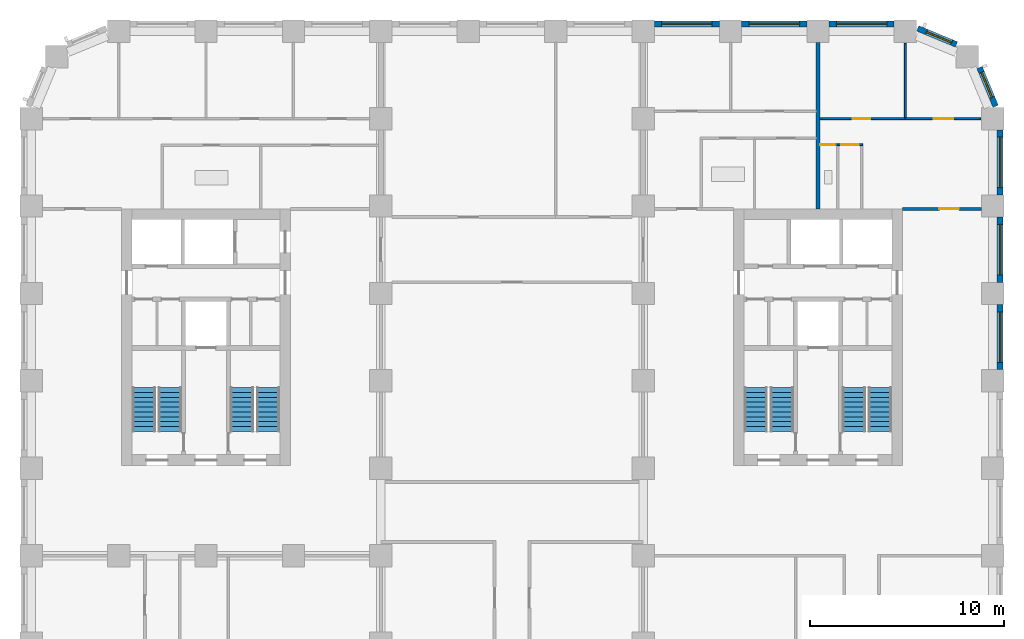
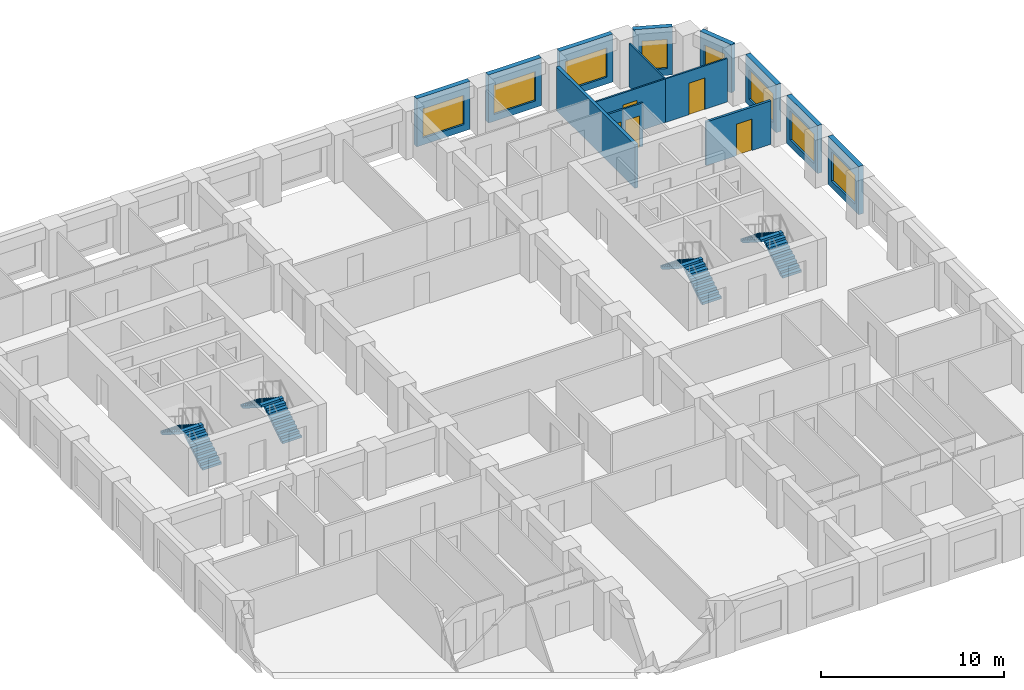
# One storey, part 9 of 12: 15 walls, 8 stair flights, 8 windows, 5 doors, 13 openings, 4 elements without a shape of their own.
"""IFC4 building model written with IfcOpenShell, lengths in metres."""

from ifc_helpers import new_model, si_unit, direction, frame, frame_2d, origin, place, context, subcontext, project, spatial, polyline, rectangle, outline, extrude, material, layer, layer_set, type_object, element, fill, aggregate, save


model = new_model("IFC4")

# Units and contexts
model_context = context("Model", 3, precision=1e-05, world=origin(), true_north=direction((0.0, 1.0)))
body_context = subcontext(model_context, "Body", "Model", "MODEL_VIEW")
ifc_project = project(units=[si_unit("LENGTHUNIT", "METRE"), si_unit("AREAUNIT", "SQUARE_METRE"), si_unit("VOLUMEUNIT", "CUBIC_METRE"), si_unit("PLANEANGLEUNIT", "RADIAN"), si_unit("MASSUNIT", "GRAM", prefix="KILO")], contexts=[model_context])

# Site, building, storey
site_placement = place(None, origin())
site = spatial("IfcSite", under=ifc_project, at=site_placement, CompositionType="ELEMENT")
building_placement = place(site_placement, origin())
building = spatial("IfcBuilding", under=site, at=building_placement, Name="Girih Gate Residences", CompositionType="ELEMENT")
storey_placement = place(building_placement, frame((0.0, 0.0, 112.0)))
storey = spatial("IfcBuildingStorey", under=building, at=storey_placement, Name="L31", CompositionType="ELEMENT", Elevation=112.0)

# Wall, opening, door
ifc_material_1 = material(Name="Gypsum board on steel studs", Category="steel")
ifc_layer_1 = layer(ifc_material_1, 0.14990234375)
ifc_layer_set_1 = layer_set([ifc_layer_1], Name="Compartment wall 150 mm")
wall_type_1 = type_object("IfcWallType", Name="Compartment wall 150 mm", PredefinedType="PARTITIONING", material=ifc_layer_set_1)
wall_1_placement = place(storey_placement, frame((44.85009765625, 40.35009765625, 0.0), z_axis=(0.0, 0.0, 1.0), x_axis=(1.0, 0.0, 0.0)))
wall_1 = element("IfcWall", 1, at=wall_1_placement, inside=storey, type_object=wall_type_1, Name="L31 partition", PredefinedType="PARTITIONING", context=body_context, shape_type="SweptSolid", body=[
    extrude(rectangle(XDim=4.074951171875, YDim=0.14990234375, at=frame_2d((2.03759765625, 0.0))), origin(), (0.0, 0.0, 1.0), 2.89990234375),
])
opening_1_placement = place(wall_1_placement, frame((1.89990234375, 0.0, 0.0)))
opening_1 = element("IfcOpeningElement", 2, at=opening_1_placement, cuts=wall_1, Name="Opening A31-033", PredefinedType="OPENING", context=body_context, shape_type="SweptSolid", body=[
    extrude(rectangle(XDim=1.0, YDim=2.10009765625, at=frame_2d((0.5, 1.050048828125))), frame((0.0, 0.0849609375, 0.0), z_axis=(0.0, -1.0, 0.0), x_axis=(1.0, 0.0, 0.0)), (0.0, 0.0, 1.0), 0.169921875),
])
ifc_material_2 = material(Name="Timber, fire-rated core", Category="wood")
door_type_1 = type_object("IfcDoorType", Name="Flat entrance door 1000x2100 FD30S", OperationType="NOTDEFINED", PredefinedType="DOOR", material=ifc_material_2)
door_1_placement = place(opening_1_placement, origin())
door_1 = element("IfcDoor", 3, at=door_1_placement, inside=storey, type_object=door_type_1, Name="Door A31-033", OperationType="SINGLE_SWING_RIGHT", OverallHeight=2.10009765625, OverallWidth=1.0, PredefinedType="DOOR", context=body_context, shape_type="SweptSolid", body=[
    extrude(rectangle(XDim=1.0, YDim=2.10009765625, at=frame_2d((0.5, 1.050048828125))), frame((0.0, 0.02490234375, 0.0), z_axis=(0.0, -1.0, 0.0), x_axis=(1.0, 0.0, 0.0)), (0.0, 0.0, 1.0), 0.050048828125),
])
fill(opening_1, door_1)

ifc_layer_2 = layer(ifc_material_1, 0.10009765625)
ifc_layer_set_2 = layer_set([ifc_layer_2], Name="Partition 100 mm")
wall_type_2 = type_object("IfcWallType", Name="Partition 100 mm", PredefinedType="PARTITIONING", material=ifc_layer_set_2)
wall_2_placement = place(storey_placement, frame((40.60009765625, 45.0, 0.0), z_axis=(0.0, 0.0, 1.0), x_axis=(1.0, 0.0, 0.0)))
wall_2 = element("IfcWall", 4, at=wall_2_placement, inside=storey, type_object=wall_type_2, Name="L31 partition", PredefinedType="PARTITIONING", context=body_context, shape_type="SweptSolid", body=[
    extrude(rectangle(XDim=4.39990234375, YDim=0.10009765625, at=frame_2d((2.199951171875, 0.0))), origin(), (0.0, 0.0, 1.0), 2.89990234375),
])
opening_2_placement = place(wall_2_placement, frame((1.699951171875, 0.0, 0.0)))
opening_2 = element("IfcOpeningElement", 5, at=opening_2_placement, cuts=wall_2, Name="Opening A31-030", PredefinedType="OPENING", context=body_context, shape_type="SweptSolid", body=[
    extrude(rectangle(XDim=0.89990234375, YDim=2.10009765625, at=frame_2d((0.449951171875, 1.050048828125))), frame((0.0, 0.06005859375, 0.0), z_axis=(0.0, -1.0, 0.0), x_axis=(1.0, 0.0, 0.0)), (0.0, 0.0, 1.0), 0.1201171875),
])
ifc_material_3 = material(Name="Timber", Category="wood")
door_type_2 = type_object("IfcDoorType", Name="Bedroom door 900x2100", OperationType="NOTDEFINED", PredefinedType="DOOR", material=ifc_material_3)
door_2_placement = place(opening_2_placement, origin())
door_2 = element("IfcDoor", 6, at=door_2_placement, inside=storey, type_object=door_type_2, Name="Door A31-030", OperationType="SINGLE_SWING_LEFT", OverallHeight=2.10009765625, OverallWidth=0.89990234375, PredefinedType="DOOR", context=body_context, shape_type="SweptSolid", body=[
    extrude(rectangle(XDim=0.89990234375, YDim=2.10009765625, at=frame_2d((0.449951171875, 1.050048828125))), frame((0.0, 0.02490234375, 0.0), z_axis=(0.0, -1.0, 0.0), x_axis=(1.0, 0.0, 0.0)), (0.0, 0.0, 1.0), 0.050048828125),
])
fill(opening_2, door_2)

# Wall
wall_3_placement = place(storey_placement, frame((45.0, 45.050048828125, 0.0), z_axis=(0.0, 0.0, 1.0), x_axis=(0.0, 1.0, 0.0)))
element("IfcWall", 7, at=wall_3_placement, inside=storey, type_object=wall_type_2, Name="L31 partition", PredefinedType="PARTITIONING", context=body_context, shape_type="SweptSolid", body=[
    extrude(rectangle(XDim=3.82763671875, YDim=0.10009765625, at=frame_2d((1.913818359375, 0.0))), origin(), (0.0, 0.0, 1.0), 2.89990234375),
])

# Wall, opening, door
wall_4_placement = place(storey_placement, frame((42.800048828125, 43.659912109375, 0.0), z_axis=(0.0, 0.0, 1.0), x_axis=(-1.0, 0.0, 0.0)))
wall_4 = element("IfcWall", 8, at=wall_4_placement, inside=storey, type_object=wall_type_2, Name="L31 partition", PredefinedType="PARTITIONING", context=body_context, shape_type="SweptSolid", body=[
    extrude(rectangle(XDim=1.27734375, YDim=0.10009765625, at=frame_2d((0.638671875, 0.0))), origin(), (0.0, 0.0, 1.0), 2.89990234375),
])
opening_3_placement = place(wall_4_placement, frame((0.213623046875, 0.0, 0.0)))
opening_3 = element("IfcOpeningElement", 9, at=opening_3_placement, cuts=wall_4, Name="Opening A31-031", PredefinedType="OPENING", context=body_context, shape_type="SweptSolid", body=[
    extrude(rectangle(XDim=0.89990234375, YDim=2.10009765625, at=frame_2d((0.449951171875, 1.050048828125))), frame((0.0, 0.06005859375, 0.0), z_axis=(0.0, -1.0, 0.0), x_axis=(1.0, 0.0, 0.0)), (0.0, 0.0, 1.0), 0.1201171875),
])
door_type_3 = type_object("IfcDoorType", Name="Kitchen door 900x2100", OperationType="NOTDEFINED", PredefinedType="DOOR", material=ifc_material_3)
door_3_placement = place(opening_3_placement, origin())
door_3 = element("IfcDoor", 10, at=door_3_placement, inside=storey, type_object=door_type_3, Name="Door A31-031", OperationType="SINGLE_SWING_RIGHT", OverallHeight=2.10009765625, OverallWidth=0.89990234375, PredefinedType="DOOR", context=body_context, shape_type="SweptSolid", body=[
    extrude(rectangle(XDim=0.89990234375, YDim=2.10009765625, at=frame_2d((0.449951171875, 1.050048828125))), frame((0.0, 0.02490234375, 0.0), z_axis=(0.0, -1.0, 0.0), x_axis=(1.0, 0.0, 0.0)), (0.0, 0.0, 1.0), 0.050048828125),
])
fill(opening_3, door_3)

wall_5_placement = place(storey_placement, frame((45.0, 45.0, 0.0), z_axis=(0.0, 0.0, 1.0), x_axis=(1.0, 0.0, 0.0)))
wall_5 = element("IfcWall", 11, at=wall_5_placement, inside=storey, type_object=wall_type_2, Name="L31 partition", PredefinedType="PARTITIONING", context=body_context, shape_type="SweptSolid", body=[
    extrude(rectangle(XDim=3.877685546875, YDim=0.10009765625, at=frame_2d((1.93896484375, 0.0))), origin(), (0.0, 0.0, 1.0), 2.89990234375),
])
opening_4_placement = place(wall_5_placement, frame((1.46240234375, 0.0, 0.0)))
opening_4 = element("IfcOpeningElement", 12, at=opening_4_placement, cuts=wall_5, Name="Opening A31-032", PredefinedType="OPENING", context=body_context, shape_type="SweptSolid", body=[
    extrude(rectangle(XDim=1.0, YDim=2.10009765625, at=frame_2d((0.5, 1.050048828125))), frame((0.0, 0.06005859375, 0.0), z_axis=(0.0, -1.0, 0.0), x_axis=(1.0, 0.0, 0.0)), (0.0, 0.0, 1.0), 0.1201171875),
])
door_type_4 = type_object("IfcDoorType", Name="Living room door 1000x2100", OperationType="NOTDEFINED", PredefinedType="DOOR", material=ifc_material_3)
door_4_placement = place(opening_4_placement, origin())
door_4 = element("IfcDoor", 13, at=door_4_placement, inside=storey, type_object=door_type_4, Name="Door A31-032", OperationType="SINGLE_SWING_RIGHT", OverallHeight=2.10009765625, OverallWidth=1.0, PredefinedType="DOOR", context=body_context, shape_type="SweptSolid", body=[
    extrude(rectangle(XDim=1.0, YDim=2.10009765625, at=frame_2d((0.5, 1.050048828125))), frame((0.0, 0.02490234375, 0.0), z_axis=(0.0, -1.0, 0.0), x_axis=(1.0, 0.0, 0.0)), (0.0, 0.0, 1.0), 0.050048828125),
])
fill(opening_4, door_4)

# Wall
ifc_layer_3 = layer(ifc_material_1, 0.199951171875)
ifc_layer_set_3 = layer_set([ifc_layer_3], Name="Party wall 200 mm")
wall_type_3 = type_object("IfcWallType", Name="Party wall 200 mm", PredefinedType="PARTITIONING", material=ifc_layer_set_3)
wall_6_placement = place(storey_placement, frame((40.5, 40.35009765625, 0.0), z_axis=(0.0, 0.0, 1.0), x_axis=(0.0, 1.0, 0.0)))
element("IfcWall", 14, at=wall_6_placement, inside=storey, type_object=wall_type_3, Name="L31 partition", PredefinedType="PARTITIONING", context=body_context, shape_type="SweptSolid", body=[
    extrude(rectangle(XDim=8.574951171875, YDim=0.199951171875, at=frame_2d((4.28759765625, 0.0))), origin(), (0.0, 0.0, 1.0), 2.89990234375),
])

# Wall, opening, window
ifc_material_4 = material(Name="Precast concrete C50/60", Category="concrete")
ifc_layer_4 = layer(ifc_material_4, 0.080078125, Name="Outer leaf")
ifc_material_5 = material(Name="Rigid PIR insulation")
ifc_layer_5 = layer(ifc_material_5, 0.14990234375, Name="Insulation")
ifc_material_6 = material(Name="Precast concrete C40/50", Category="concrete")
ifc_layer_6 = layer(ifc_material_6, 0.070068359375, Name="Inner leaf")
ifc_layer_set_4 = layer_set([ifc_layer_4, ifc_layer_5, ifc_layer_6], Name="Precast concrete C50/60 external wall 300")
wall_type_4 = type_object("IfcWallType", Name="Precast concrete C50/60 external wall 300", PredefinedType="SOLIDWALL", material=ifc_layer_set_4)
wall_7_placement = place(storey_placement, frame((49.875, 35.425048828125, 0.0), z_axis=(0.0, 0.0, 1.0), x_axis=(0.0, -1.0, 0.0)))
wall_7 = element("IfcWall", 15, at=wall_7_placement, inside=storey, type_object=wall_type_4, Name="External wall E0495_0045.6", PredefinedType="SOLIDWALL", context=body_context, shape_type="SweptSolid", body=[
    extrude(rectangle(XDim=3.35009765625, YDim=0.300048828125, at=frame_2d((1.675048828125, 0.0))), origin(), (0.0, 0.0, 1.0), 3.199951171875),
])
opening_5_placement = place(wall_7_placement, frame((0.375, 0.0, 0.449951171875)))
opening_5 = element("IfcOpeningElement", 16, at=opening_5_placement, cuts=wall_7, Name="Opening W-1A", PredefinedType="OPENING", context=body_context, shape_type="SweptSolid", body=[
    extrude(rectangle(XDim=2.60009765625, YDim=1.949951171875, at=frame_2d((1.300048828125, 0.97509765625))), frame((0.0, 0.159912109375, 0.0), z_axis=(0.0, -1.0, 0.0), x_axis=(1.0, 0.0, 0.0)), (0.0, 0.0, 1.0), 0.320068359375),
])
ifc_material_7 = material(Name="Double glazing in aluminium frame", Category="aluminium")
window_type_1 = type_object("IfcWindowType", Name="Window W-1A 2600x1950", PartitioningType="SINGLE_PANEL", PredefinedType="WINDOW", material=ifc_material_7)
window_1_placement = place(opening_5_placement, origin())
window_1 = element("IfcWindow", 17, at=window_1_placement, inside=storey, type_object=window_type_1, Name="Window W-1A E0495_0045.6", OverallHeight=1.949951171875, OverallWidth=2.60009765625, PartitioningType="SINGLE_PANEL", PredefinedType="WINDOW", context=body_context, shape_type="SweptSolid", body=[
    extrude(rectangle(XDim=2.60009765625, YDim=1.949951171875, at=frame_2d((1.300048828125, 0.97509765625))), frame((0.0, 0.030029296875, 0.0), z_axis=(0.0, -1.0, 0.0), x_axis=(1.0, 0.0, 0.0)), (0.0, 0.0, 1.0), 0.06005859375),
])
fill(opening_5, window_1)

wall_8_placement = place(storey_placement, frame((49.875, 39.925048828125, 0.0), z_axis=(0.0, 0.0, 1.0), x_axis=(0.0, -1.0, 0.0)))
wall_8 = element("IfcWall", 18, at=wall_8_placement, inside=storey, type_object=wall_type_4, Name="External wall E0495_0045.7", PredefinedType="SOLIDWALL", context=body_context, shape_type="SweptSolid", body=[
    extrude(rectangle(XDim=3.35009765625, YDim=0.300048828125, at=frame_2d((1.675048828125, 0.0))), origin(), (0.0, 0.0, 1.0), 3.199951171875),
])
opening_6_placement = place(wall_8_placement, frame((0.375, 0.0, 0.449951171875)))
opening_6 = element("IfcOpeningElement", 19, at=opening_6_placement, cuts=wall_8, Name="Opening W-1A", PredefinedType="OPENING", context=body_context, shape_type="SweptSolid", body=[
    extrude(rectangle(XDim=2.60009765625, YDim=1.949951171875, at=frame_2d((1.300048828125, 0.97509765625))), frame((0.0, 0.159912109375, 0.0), z_axis=(0.0, -1.0, 0.0), x_axis=(1.0, 0.0, 0.0)), (0.0, 0.0, 1.0), 0.320068359375),
])
window_2_placement = place(opening_6_placement, origin())
window_2 = element("IfcWindow", 20, at=window_2_placement, inside=storey, type_object=window_type_1, Name="Window W-1A E0495_0045.7", OverallHeight=1.949951171875, OverallWidth=2.60009765625, PartitioningType="SINGLE_PANEL", PredefinedType="WINDOW", context=body_context, shape_type="SweptSolid", body=[
    extrude(rectangle(XDim=2.60009765625, YDim=1.949951171875, at=frame_2d((1.300048828125, 0.97509765625))), frame((0.0, 0.030029296875, 0.0), z_axis=(0.0, -1.0, 0.0), x_axis=(1.0, 0.0, 0.0)), (0.0, 0.0, 1.0), 0.06005859375),
])
fill(opening_6, window_2)

wall_9_placement = place(storey_placement, frame((49.875, 44.425048828125, 0.0), z_axis=(0.0, 0.0, 1.0), x_axis=(0.0, -1.0, 0.0)))
wall_9 = element("IfcWall", 21, at=wall_9_placement, inside=storey, type_object=wall_type_4, Name="External wall E0495_0045.8", PredefinedType="SOLIDWALL", context=body_context, shape_type="SweptSolid", body=[
    extrude(rectangle(XDim=3.35009765625, YDim=0.300048828125, at=frame_2d((1.675048828125, 0.0))), origin(), (0.0, 0.0, 1.0), 3.199951171875),
])
opening_7_placement = place(wall_9_placement, frame((0.375, 0.0, 0.449951171875)))
opening_7 = element("IfcOpeningElement", 22, at=opening_7_placement, cuts=wall_9, Name="Opening W-1A", PredefinedType="OPENING", context=body_context, shape_type="SweptSolid", body=[
    extrude(rectangle(XDim=2.60009765625, YDim=1.949951171875, at=frame_2d((1.300048828125, 0.97509765625))), frame((0.0, 0.159912109375, 0.0), z_axis=(0.0, -1.0, 0.0), x_axis=(1.0, 0.0, 0.0)), (0.0, 0.0, 1.0), 0.320068359375),
])
window_3_placement = place(opening_7_placement, origin())
window_3 = element("IfcWindow", 23, at=window_3_placement, inside=storey, type_object=window_type_1, Name="Window W-1A E0495_0045.8", OverallHeight=1.949951171875, OverallWidth=2.60009765625, PartitioningType="SINGLE_PANEL", PredefinedType="WINDOW", context=body_context, shape_type="SweptSolid", body=[
    extrude(rectangle(XDim=2.60009765625, YDim=1.949951171875, at=frame_2d((1.300048828125, 0.97509765625))), frame((0.0, 0.030029296875, 0.0), z_axis=(0.0, -1.0, 0.0), x_axis=(1.0, 0.0, 0.0)), (0.0, 0.0, 1.0), 0.06005859375),
])
fill(opening_7, window_3)

wall_10_placement = place(storey_placement, frame((48.81591796875, 47.63134765625, 0.0), z_axis=(0.0, 0.0, 1.0), x_axis=(0.382723818695, -0.923862802911, 0.0)))
wall_10 = element("IfcWall", 24, at=wall_10_placement, inside=storey, type_object=wall_type_4, Name="External wall NE0495_0450.0", PredefinedType="SOLIDWALL", context=body_context, shape_type="SweptSolid", body=[
    extrude(rectangle(XDim=2.163818359375, YDim=0.300048828125, at=frame_2d((1.08203125, 0.0))), origin(), (0.0, 0.0, 1.0), 3.199951171875),
])
opening_8_placement = place(wall_10_placement, frame((0.270751953125, 0.0, 0.449951171875)))
opening_8 = element("IfcOpeningElement", 25, at=opening_8_placement, cuts=wall_10, Name="Opening W-2D", PredefinedType="OPENING", context=body_context, shape_type="SweptSolid", body=[
    extrude(rectangle(XDim=1.39990234375, YDim=1.949951171875, at=frame_2d((0.699951171875, 0.97509765625))), frame((0.0, 0.159912109375, 0.0), z_axis=(0.0, -1.0, 0.0), x_axis=(1.0, 0.0, 0.0)), (0.0, 0.0, 1.0), 0.320068359375),
])
window_type_2 = type_object("IfcWindowType", Name="Window W-2D 1400x1950", PartitioningType="SINGLE_PANEL", PredefinedType="WINDOW", material=ifc_material_7)
window_4_placement = place(opening_8_placement, origin())
window_4 = element("IfcWindow", 26, at=window_4_placement, inside=storey, type_object=window_type_2, Name="Window W-2D NE0495_0450.0", OverallHeight=1.949951171875, OverallWidth=1.39990234375, PartitioningType="SINGLE_PANEL", PredefinedType="WINDOW", context=body_context, shape_type="SweptSolid", body=[
    extrude(rectangle(XDim=1.39990234375, YDim=1.949951171875, at=frame_2d((0.699951171875, 0.97509765625))), frame((0.0, 0.030029296875, 0.0), z_axis=(0.0, -1.0, 0.0), x_axis=(1.0, 0.0, 0.0)), (0.0, 0.0, 1.0), 0.06005859375),
])
fill(opening_8, window_4)

wall_11_placement = place(storey_placement, frame((45.63232421875, 49.64404296875, 0.0), z_axis=(0.0, 0.0, 1.0), x_axis=(0.923862802911, -0.382723818695, 0.0)))
wall_11 = element("IfcWall", 27, at=wall_11_placement, inside=storey, type_object=wall_type_4, Name="External wall NE0482_0482.0", PredefinedType="SOLIDWALL", context=body_context, shape_type="SweptSolid", body=[
    extrude(rectangle(XDim=2.163818359375, YDim=0.300048828125, at=frame_2d((1.08203125, 0.0))), origin(), (0.0, 0.0, 1.0), 3.199951171875),
])
opening_9_placement = place(wall_11_placement, frame((0.492919921875, 0.0, 0.449951171875)))
opening_9 = element("IfcOpeningElement", 28, at=opening_9_placement, cuts=wall_11, Name="Opening W-2D", PredefinedType="OPENING", context=body_context, shape_type="SweptSolid", body=[
    extrude(rectangle(XDim=1.39990234375, YDim=1.949951171875, at=frame_2d((0.699951171875, 0.97509765625))), frame((0.0, 0.159912109375, 0.0), z_axis=(0.0, -1.0, 0.0), x_axis=(1.0, 0.0, 0.0)), (0.0, 0.0, 1.0), 0.320068359375),
])
window_5_placement = place(opening_9_placement, origin())
window_5 = element("IfcWindow", 29, at=window_5_placement, inside=storey, type_object=window_type_2, Name="Window W-2D NE0482_0482.0", OverallHeight=1.949951171875, OverallWidth=1.39990234375, PartitioningType="SINGLE_PANEL", PredefinedType="WINDOW", context=body_context, shape_type="SweptSolid", body=[
    extrude(rectangle(XDim=1.39990234375, YDim=1.949951171875, at=frame_2d((0.699951171875, 0.97509765625))), frame((0.0, 0.030029296875, 0.0), z_axis=(0.0, -1.0, 0.0), x_axis=(1.0, 0.0, 0.0)), (0.0, 0.0, 1.0), 0.06005859375),
])
fill(opening_9, window_5)

wall_12_placement = place(storey_placement, frame((41.074951171875, 49.875, 0.0), z_axis=(0.0, 0.0, 1.0), x_axis=(1.0, 0.0, 0.0)))
wall_12 = element("IfcWall", 30, at=wall_12_placement, inside=storey, type_object=wall_type_4, Name="External wall N0450_0495.0", PredefinedType="SOLIDWALL", context=body_context, shape_type="SweptSolid", body=[
    extrude(rectangle(XDim=3.35009765625, YDim=0.300048828125, at=frame_2d((1.675048828125, 0.0))), origin(), (0.0, 0.0, 1.0), 3.199951171875),
])
opening_10_placement = place(wall_12_placement, frame((0.375, 0.0, 0.449951171875)))
opening_10 = element("IfcOpeningElement", 31, at=opening_10_placement, cuts=wall_12, Name="Opening W-1A", PredefinedType="OPENING", context=body_context, shape_type="SweptSolid", body=[
    extrude(rectangle(XDim=2.60009765625, YDim=1.949951171875, at=frame_2d((1.300048828125, 0.97509765625))), frame((0.0, 0.159912109375, 0.0), z_axis=(0.0, -1.0, 0.0), x_axis=(1.0, 0.0, 0.0)), (0.0, 0.0, 1.0), 0.320068359375),
])
window_6_placement = place(opening_10_placement, origin())
window_6 = element("IfcWindow", 32, at=window_6_placement, inside=storey, type_object=window_type_1, Name="Window W-1A N0450_0495.0", OverallHeight=1.949951171875, OverallWidth=2.60009765625, PartitioningType="SINGLE_PANEL", PredefinedType="WINDOW", context=body_context, shape_type="SweptSolid", body=[
    extrude(rectangle(XDim=2.60009765625, YDim=1.949951171875, at=frame_2d((1.300048828125, 0.97509765625))), frame((0.0, 0.030029296875, 0.0), z_axis=(0.0, -1.0, 0.0), x_axis=(1.0, 0.0, 0.0)), (0.0, 0.0, 1.0), 0.06005859375),
])
fill(opening_10, window_6)

wall_13_placement = place(storey_placement, frame((36.574951171875, 49.875, 0.0), z_axis=(0.0, 0.0, 1.0), x_axis=(1.0, 0.0, 0.0)))
wall_13 = element("IfcWall", 33, at=wall_13_placement, inside=storey, type_object=wall_type_4, Name="External wall N0450_0495.1", PredefinedType="SOLIDWALL", context=body_context, shape_type="SweptSolid", body=[
    extrude(rectangle(XDim=3.35009765625, YDim=0.300048828125, at=frame_2d((1.675048828125, 0.0))), origin(), (0.0, 0.0, 1.0), 3.199951171875),
])
opening_11_placement = place(wall_13_placement, frame((0.375, 0.0, 0.449951171875)))
opening_11 = element("IfcOpeningElement", 34, at=opening_11_placement, cuts=wall_13, Name="Opening W-1A", PredefinedType="OPENING", context=body_context, shape_type="SweptSolid", body=[
    extrude(rectangle(XDim=2.60009765625, YDim=1.949951171875, at=frame_2d((1.300048828125, 0.97509765625))), frame((0.0, 0.159912109375, 0.0), z_axis=(0.0, -1.0, 0.0), x_axis=(1.0, 0.0, 0.0)), (0.0, 0.0, 1.0), 0.320068359375),
])
window_7_placement = place(opening_11_placement, origin())
window_7 = element("IfcWindow", 35, at=window_7_placement, inside=storey, type_object=window_type_1, Name="Window W-1A N0450_0495.1", OverallHeight=1.949951171875, OverallWidth=2.60009765625, PartitioningType="SINGLE_PANEL", PredefinedType="WINDOW", context=body_context, shape_type="SweptSolid", body=[
    extrude(rectangle(XDim=2.60009765625, YDim=1.949951171875, at=frame_2d((1.300048828125, 0.97509765625))), frame((0.0, 0.030029296875, 0.0), z_axis=(0.0, -1.0, 0.0), x_axis=(1.0, 0.0, 0.0)), (0.0, 0.0, 1.0), 0.06005859375),
])
fill(opening_11, window_7)

wall_14_placement = place(storey_placement, frame((32.074951171875, 49.875, 0.0), z_axis=(0.0, 0.0, 1.0), x_axis=(1.0, 0.0, 0.0)))
wall_14 = element("IfcWall", 36, at=wall_14_placement, inside=storey, type_object=wall_type_4, Name="External wall N0450_0495.2", PredefinedType="SOLIDWALL", context=body_context, shape_type="SweptSolid", body=[
    extrude(rectangle(XDim=3.35009765625, YDim=0.300048828125, at=frame_2d((1.675048828125, 0.0))), origin(), (0.0, 0.0, 1.0), 3.199951171875),
])
opening_12_placement = place(wall_14_placement, frame((0.375, 0.0, 0.449951171875)))
opening_12 = element("IfcOpeningElement", 37, at=opening_12_placement, cuts=wall_14, Name="Opening W-1A", PredefinedType="OPENING", context=body_context, shape_type="SweptSolid", body=[
    extrude(rectangle(XDim=2.60009765625, YDim=1.949951171875, at=frame_2d((1.300048828125, 0.97509765625))), frame((0.0, 0.159912109375, 0.0), z_axis=(0.0, -1.0, 0.0), x_axis=(1.0, 0.0, 0.0)), (0.0, 0.0, 1.0), 0.320068359375),
])
window_8_placement = place(opening_12_placement, origin())
window_8 = element("IfcWindow", 38, at=window_8_placement, inside=storey, type_object=window_type_1, Name="Window W-1A N0450_0495.2", OverallHeight=1.949951171875, OverallWidth=2.60009765625, PartitioningType="SINGLE_PANEL", PredefinedType="WINDOW", context=body_context, shape_type="SweptSolid", body=[
    extrude(rectangle(XDim=2.60009765625, YDim=1.949951171875, at=frame_2d((1.300048828125, 0.97509765625))), frame((0.0, 0.030029296875, 0.0), z_axis=(0.0, -1.0, 0.0), x_axis=(1.0, 0.0, 0.0)), (0.0, 0.0, 1.0), 0.06005859375),
])
fill(opening_12, window_8)

# Wall, opening, door
ifc_layer_7 = layer(ifc_material_1, 0.125)
ifc_layer_set_5 = layer_set([ifc_layer_7], Name="Wet room wall 125 mm")
wall_type_5 = type_object("IfcWallType", Name="Wet room wall 125 mm", PredefinedType="PARTITIONING", material=ifc_layer_set_5)
wall_15_placement = place(storey_placement, frame((41.522705078125, 43.659912109375, 0.0), z_axis=(0.0, 0.0, 1.0), x_axis=(-1.0, 0.0, 0.0)))
wall_15 = element("IfcWall", 39, at=wall_15_placement, inside=storey, type_object=wall_type_5, Name="L31 partition", PredefinedType="PARTITIONING", context=body_context, shape_type="SweptSolid", body=[
    extrude(rectangle(XDim=0.922607421875, YDim=0.125, at=frame_2d((0.46142578125, 0.0))), origin(), (0.0, 0.0, 1.0), 2.89990234375),
])
opening_13_placement = place(wall_15_placement, frame((0.111328125, 0.0, 0.0)))
opening_13 = element("IfcOpeningElement", 40, at=opening_13_placement, cuts=wall_15, Name="Opening A31-029", PredefinedType="OPENING", context=body_context, shape_type="SweptSolid", body=[
    extrude(rectangle(XDim=0.800048828125, YDim=2.10009765625, at=frame_2d((0.39990234375, 1.050048828125))), frame((0.0, 0.072509765625, 0.0), z_axis=(0.0, -1.0, 0.0), x_axis=(1.0, 0.0, 0.0)), (0.0, 0.0, 1.0), 0.14501953125),
])
door_type_5 = type_object("IfcDoorType", Name="Bathroom door 800x2100", OperationType="NOTDEFINED", PredefinedType="DOOR", material=ifc_material_3)
door_5_placement = place(opening_13_placement, origin())
door_5 = element("IfcDoor", 41, at=door_5_placement, inside=storey, type_object=door_type_5, Name="Door A31-029", OperationType="SINGLE_SWING_RIGHT", OverallHeight=2.10009765625, OverallWidth=0.800048828125, PredefinedType="DOOR", context=body_context, shape_type="SweptSolid", body=[
    extrude(rectangle(XDim=0.800048828125, YDim=2.10009765625, at=frame_2d((0.39990234375, 1.050048828125))), frame((0.0, 0.02490234375, 0.0), z_axis=(0.0, -1.0, 0.0), x_axis=(1.0, 0.0, 0.0)), (0.0, 0.0, 1.0), 0.050048828125),
])
fill(opening_13, door_5)

# Stair, stair flights
ifc_material_8 = material(Name="Concrete C40/50", Category="concrete")
stair_type = type_object("IfcStairType", Name="Exit stair", PredefinedType="HALF_TURN_STAIR", material=ifc_material_8)
stair_1_placement = place(storey_placement, origin())
stair_1 = element("IfcStair", 42, at=stair_1_placement, inside=storey, type_object=stair_type, Name="L31 Exit Stair ST-W1", PredefinedType="HALF_TURN_STAIR")
stair_flight_type = type_object("IfcStairFlightType", Name="Stair flight 1200", PredefinedType="STRAIGHT", material=ifc_material_8)
stair_flight_1_placement = place(storey_placement, frame((7.14990234375, 28.89990234375, 0.0), z_axis=(0.0, 0.0, 1.0), x_axis=(0.0, 1.0, 0.0)))
stair_flight_1 = element("IfcStairFlight", 43, at=stair_flight_1_placement, type_object=stair_flight_type, Name="ST-W1 flight 1", NumberOfRisers=10, NumberOfTreads=9, PredefinedType="STRAIGHT", RiserHeight=0.16, TreadLength=0.25, context=body_context, shape_type="SweptSolid", body=[
    extrude(outline(polyline([(0.0, 0.0), (0.0, 0.159912109375), (0.25, 0.159912109375), (0.25, 0.320068359375), (0.5, 0.320068359375), (0.5, 0.47998046875), (0.75, 0.47998046875), (0.75, 0.639892578125), (1.0, 0.639892578125), (1.0, 0.800048828125), (1.25, 0.800048828125), (1.25, 0.9599609375), (1.5, 0.9599609375), (1.5, 1.1201171875), (1.75, 1.1201171875), (1.75, 1.280029296875), (2.0, 1.280029296875), (2.0, 1.43994140625), (2.25, 1.43994140625), (2.25, 1.60009765625), (2.25, 1.29736328125), (0.222900390625, 0.0), (0.0, 0.0)])), frame((0.0, 0.60009765625, 0.0), z_axis=(0.0, -1.0, 0.0), x_axis=(1.0, 0.0, 0.0)), (0.0, 0.0, 1.0), 1.199951171875),
])
stair_flight_2_placement = place(storey_placement, frame((5.800048828125, 31.14990234375, 1.60009765625), z_axis=(0.0, 0.0, 1.0), x_axis=(0.0, -1.0, 0.0)))
stair_flight_2 = element("IfcStairFlight", 44, at=stair_flight_2_placement, type_object=stair_flight_type, Name="ST-W1 flight 2", NumberOfRisers=10, NumberOfTreads=9, PredefinedType="STRAIGHT", RiserHeight=0.16, TreadLength=0.25, context=body_context, shape_type="SweptSolid", body=[
    extrude(outline(polyline([(0.0, 0.0), (0.0, 0.159912109375), (0.25, 0.159912109375), (0.25, 0.320068359375), (0.5, 0.320068359375), (0.5, 0.47998046875), (0.75, 0.47998046875), (0.75, 0.639892578125), (1.0, 0.639892578125), (1.0, 0.800048828125), (1.25, 0.800048828125), (1.25, 0.9599609375), (1.5, 0.9599609375), (1.5, 1.1201171875), (1.75, 1.1201171875), (1.75, 1.280029296875), (2.0, 1.280029296875), (2.0, 1.43994140625), (2.25, 1.43994140625), (2.25, 1.60009765625), (2.25, 1.29736328125), (0.222900390625, 0.0), (0.0, 0.0)])), frame((0.0, 0.60009765625, 0.0), z_axis=(0.0, -1.0, 0.0), x_axis=(1.0, 0.0, 0.0)), (0.0, 0.0, 1.0), 1.199951171875),
])
aggregate(stair_1, [stair_flight_1, stair_flight_2])

stair_2_placement = place(storey_placement, origin())
stair_2 = element("IfcStair", 45, at=stair_2_placement, inside=storey, type_object=stair_type, Name="L31 Exit Stair ST-W2", PredefinedType="HALF_TURN_STAIR")
stair_flight_3_placement = place(storey_placement, frame((12.199951171875, 28.89990234375, 0.0), z_axis=(0.0, 0.0, 1.0), x_axis=(0.0, 1.0, 0.0)))
stair_flight_3 = element("IfcStairFlight", 46, at=stair_flight_3_placement, type_object=stair_flight_type, Name="ST-W2 flight 1", NumberOfRisers=10, NumberOfTreads=9, PredefinedType="STRAIGHT", RiserHeight=0.16, TreadLength=0.25, context=body_context, shape_type="SweptSolid", body=[
    extrude(outline(polyline([(0.0, 0.0), (0.0, 0.159912109375), (0.25, 0.159912109375), (0.25, 0.320068359375), (0.5, 0.320068359375), (0.5, 0.47998046875), (0.75, 0.47998046875), (0.75, 0.639892578125), (1.0, 0.639892578125), (1.0, 0.800048828125), (1.25, 0.800048828125), (1.25, 0.9599609375), (1.5, 0.9599609375), (1.5, 1.1201171875), (1.75, 1.1201171875), (1.75, 1.280029296875), (2.0, 1.280029296875), (2.0, 1.43994140625), (2.25, 1.43994140625), (2.25, 1.60009765625), (2.25, 1.29736328125), (0.222900390625, 0.0), (0.0, 0.0)])), frame((0.0, 0.60009765625, 0.0), z_axis=(0.0, -1.0, 0.0), x_axis=(1.0, 0.0, 0.0)), (0.0, 0.0, 1.0), 1.199951171875),
])
stair_flight_4_placement = place(storey_placement, frame((10.85009765625, 31.14990234375, 1.60009765625), z_axis=(0.0, 0.0, 1.0), x_axis=(0.0, -1.0, 0.0)))
stair_flight_4 = element("IfcStairFlight", 47, at=stair_flight_4_placement, type_object=stair_flight_type, Name="ST-W2 flight 2", NumberOfRisers=10, NumberOfTreads=9, PredefinedType="STRAIGHT", RiserHeight=0.16, TreadLength=0.25, context=body_context, shape_type="SweptSolid", body=[
    extrude(outline(polyline([(0.0, 0.0), (0.0, 0.159912109375), (0.25, 0.159912109375), (0.25, 0.320068359375), (0.5, 0.320068359375), (0.5, 0.47998046875), (0.75, 0.47998046875), (0.75, 0.639892578125), (1.0, 0.639892578125), (1.0, 0.800048828125), (1.25, 0.800048828125), (1.25, 0.9599609375), (1.5, 0.9599609375), (1.5, 1.1201171875), (1.75, 1.1201171875), (1.75, 1.280029296875), (2.0, 1.280029296875), (2.0, 1.43994140625), (2.25, 1.43994140625), (2.25, 1.60009765625), (2.25, 1.29736328125), (0.222900390625, 0.0), (0.0, 0.0)])), frame((0.0, 0.60009765625, 0.0), z_axis=(0.0, -1.0, 0.0), x_axis=(1.0, 0.0, 0.0)), (0.0, 0.0, 1.0), 1.199951171875),
])
aggregate(stair_2, [stair_flight_3, stair_flight_4])

stair_3_placement = place(storey_placement, origin())
stair_3 = element("IfcStair", 48, at=stair_3_placement, inside=storey, type_object=stair_type, Name="L31 Exit Stair ST-E1", PredefinedType="HALF_TURN_STAIR")
stair_flight_5_placement = place(storey_placement, frame((43.699951171875, 28.89990234375, 0.0), z_axis=(0.0, 0.0, 1.0), x_axis=(0.0, 1.0, 0.0)))
stair_flight_5 = element("IfcStairFlight", 49, at=stair_flight_5_placement, type_object=stair_flight_type, Name="ST-E1 flight 1", NumberOfRisers=10, NumberOfTreads=9, PredefinedType="STRAIGHT", RiserHeight=0.16, TreadLength=0.25, context=body_context, shape_type="SweptSolid", body=[
    extrude(outline(polyline([(0.0, 0.0), (0.0, 0.159912109375), (0.25, 0.159912109375), (0.25, 0.320068359375), (0.5, 0.320068359375), (0.5, 0.47998046875), (0.75, 0.47998046875), (0.75, 0.639892578125), (1.0, 0.639892578125), (1.0, 0.800048828125), (1.25, 0.800048828125), (1.25, 0.9599609375), (1.5, 0.9599609375), (1.5, 1.1201171875), (1.75, 1.1201171875), (1.75, 1.280029296875), (2.0, 1.280029296875), (2.0, 1.43994140625), (2.25, 1.43994140625), (2.25, 1.60009765625), (2.25, 1.29736328125), (0.222900390625, 0.0), (0.0, 0.0)])), frame((0.0, 0.60009765625, 0.0), z_axis=(0.0, -1.0, 0.0), x_axis=(1.0, 0.0, 0.0)), (0.0, 0.0, 1.0), 1.199951171875),
])
stair_flight_6_placement = place(storey_placement, frame((42.35009765625, 31.14990234375, 1.60009765625), z_axis=(0.0, 0.0, 1.0), x_axis=(0.0, -1.0, 0.0)))
stair_flight_6 = element("IfcStairFlight", 50, at=stair_flight_6_placement, type_object=stair_flight_type, Name="ST-E1 flight 2", NumberOfRisers=10, NumberOfTreads=9, PredefinedType="STRAIGHT", RiserHeight=0.16, TreadLength=0.25, context=body_context, shape_type="SweptSolid", body=[
    extrude(outline(polyline([(0.0, 0.0), (0.0, 0.159912109375), (0.25, 0.159912109375), (0.25, 0.320068359375), (0.5, 0.320068359375), (0.5, 0.47998046875), (0.75, 0.47998046875), (0.75, 0.639892578125), (1.0, 0.639892578125), (1.0, 0.800048828125), (1.25, 0.800048828125), (1.25, 0.9599609375), (1.5, 0.9599609375), (1.5, 1.1201171875), (1.75, 1.1201171875), (1.75, 1.280029296875), (2.0, 1.280029296875), (2.0, 1.43994140625), (2.25, 1.43994140625), (2.25, 1.60009765625), (2.25, 1.29736328125), (0.222900390625, 0.0), (0.0, 0.0)])), frame((0.0, 0.60009765625, 0.0), z_axis=(0.0, -1.0, 0.0), x_axis=(1.0, 0.0, 0.0)), (0.0, 0.0, 1.0), 1.199951171875),
])
aggregate(stair_3, [stair_flight_5, stair_flight_6])

stair_4_placement = place(storey_placement, origin())
stair_4 = element("IfcStair", 51, at=stair_4_placement, inside=storey, type_object=stair_type, Name="L31 Exit Stair ST-E2", PredefinedType="HALF_TURN_STAIR")
stair_flight_7_placement = place(storey_placement, frame((38.64990234375, 28.89990234375, 0.0), z_axis=(0.0, 0.0, 1.0), x_axis=(0.0, 1.0, 0.0)))
stair_flight_7 = element("IfcStairFlight", 52, at=stair_flight_7_placement, type_object=stair_flight_type, Name="ST-E2 flight 1", NumberOfRisers=10, NumberOfTreads=9, PredefinedType="STRAIGHT", RiserHeight=0.16, TreadLength=0.25, context=body_context, shape_type="SweptSolid", body=[
    extrude(outline(polyline([(0.0, 0.0), (0.0, 0.159912109375), (0.25, 0.159912109375), (0.25, 0.320068359375), (0.5, 0.320068359375), (0.5, 0.47998046875), (0.75, 0.47998046875), (0.75, 0.639892578125), (1.0, 0.639892578125), (1.0, 0.800048828125), (1.25, 0.800048828125), (1.25, 0.9599609375), (1.5, 0.9599609375), (1.5, 1.1201171875), (1.75, 1.1201171875), (1.75, 1.280029296875), (2.0, 1.280029296875), (2.0, 1.43994140625), (2.25, 1.43994140625), (2.25, 1.60009765625), (2.25, 1.29736328125), (0.222900390625, 0.0), (0.0, 0.0)])), frame((0.0, 0.60009765625, 0.0), z_axis=(0.0, -1.0, 0.0), x_axis=(1.0, 0.0, 0.0)), (0.0, 0.0, 1.0), 1.199951171875),
])
stair_flight_8_placement = place(storey_placement, frame((37.300048828125, 31.14990234375, 1.60009765625), z_axis=(0.0, 0.0, 1.0), x_axis=(0.0, -1.0, 0.0)))
stair_flight_8 = element("IfcStairFlight", 53, at=stair_flight_8_placement, type_object=stair_flight_type, Name="ST-E2 flight 2", NumberOfRisers=10, NumberOfTreads=9, PredefinedType="STRAIGHT", RiserHeight=0.16, TreadLength=0.25, context=body_context, shape_type="SweptSolid", body=[
    extrude(outline(polyline([(0.0, 0.0), (0.0, 0.159912109375), (0.25, 0.159912109375), (0.25, 0.320068359375), (0.5, 0.320068359375), (0.5, 0.47998046875), (0.75, 0.47998046875), (0.75, 0.639892578125), (1.0, 0.639892578125), (1.0, 0.800048828125), (1.25, 0.800048828125), (1.25, 0.9599609375), (1.5, 0.9599609375), (1.5, 1.1201171875), (1.75, 1.1201171875), (1.75, 1.280029296875), (2.0, 1.280029296875), (2.0, 1.43994140625), (2.25, 1.43994140625), (2.25, 1.60009765625), (2.25, 1.29736328125), (0.222900390625, 0.0), (0.0, 0.0)])), frame((0.0, 0.60009765625, 0.0), z_axis=(0.0, -1.0, 0.0), x_axis=(1.0, 0.0, 0.0)), (0.0, 0.0, 1.0), 1.199951171875),
])
aggregate(stair_4, [stair_flight_7, stair_flight_8])

save(model, "model.ifc")
